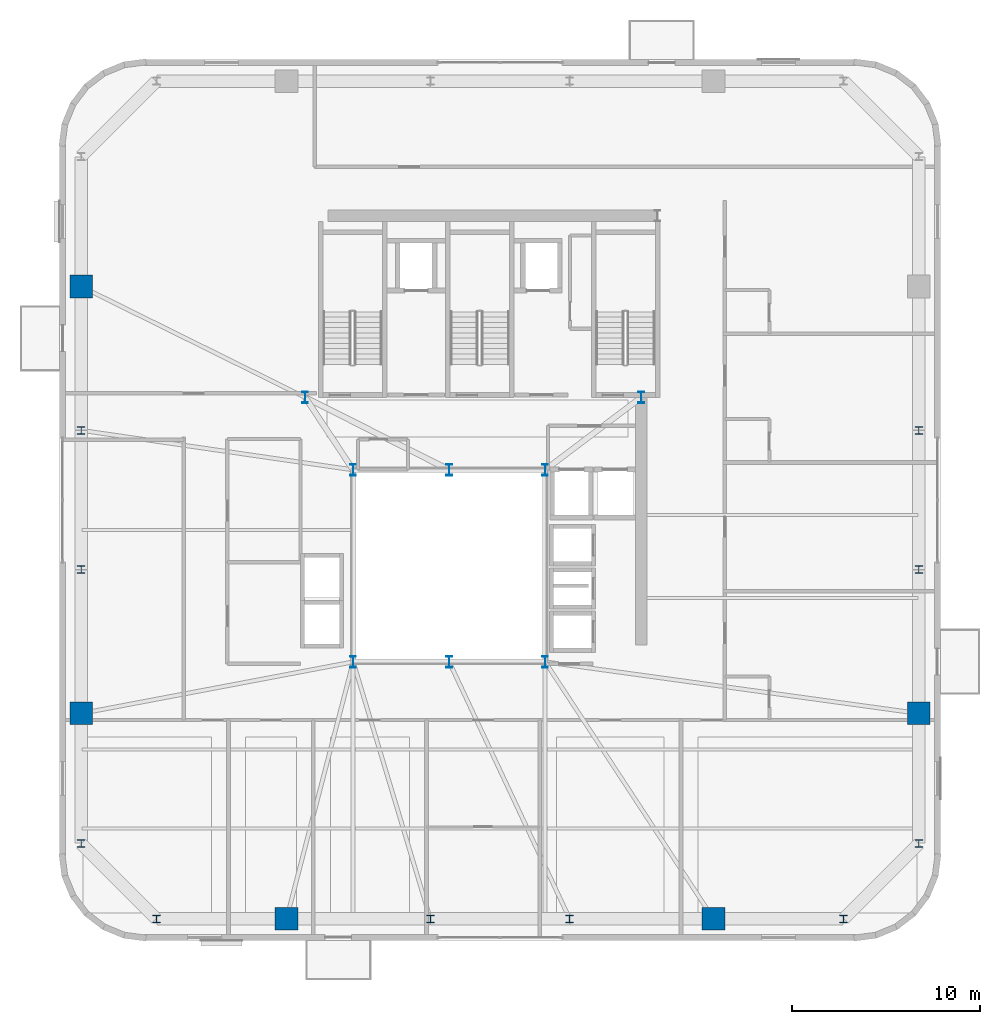
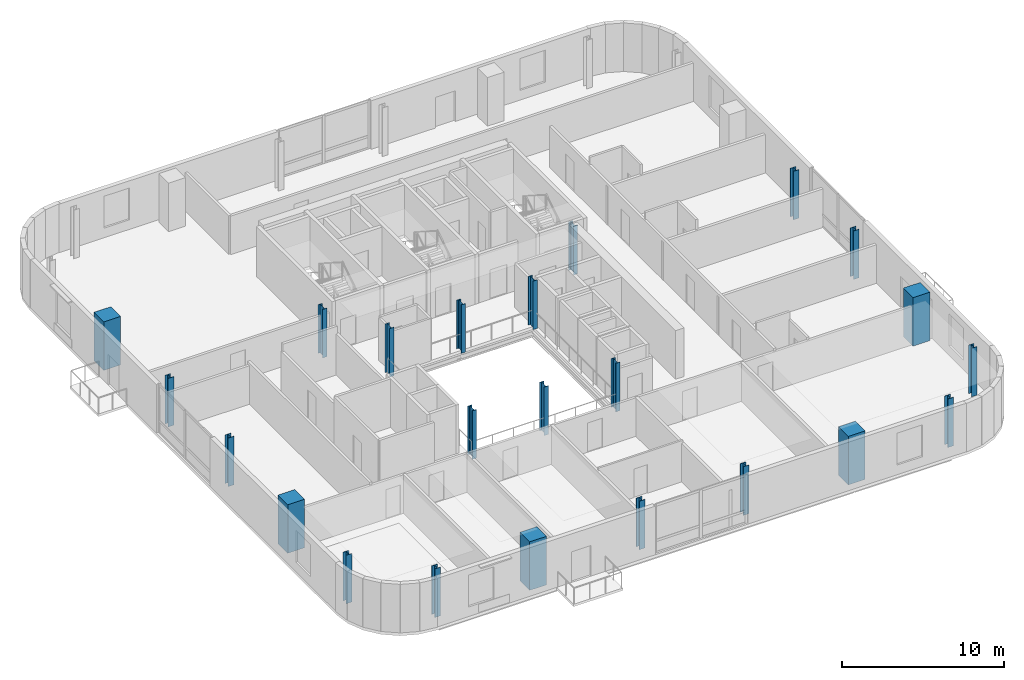
# One storey, part 1 of 15: 23 columns.
"""IFC4 building model written with IfcOpenShell, lengths in metres."""

from ifc_helpers import new_model, si_unit, direction, frame, origin, origin_2d, place, context, subcontext, project, spatial, rectangle, i_section, extrude, source, transform, mapped, material, material_profile, profile_set, type_object, element, save


model = new_model("IFC4")

# Units and contexts
model_context = context("Model", 3, precision=1e-05, world=origin(), true_north=direction((0.0, 1.0)))
body_context = subcontext(model_context, "Body", "Model", "MODEL_VIEW")
ifc_project = project(units=[si_unit("LENGTHUNIT", "METRE"), si_unit("AREAUNIT", "SQUARE_METRE"), si_unit("VOLUMEUNIT", "CUBIC_METRE"), si_unit("PLANEANGLEUNIT", "RADIAN"), si_unit("MASSUNIT", "GRAM", prefix="KILO")], contexts=[model_context])

# Site, building, storey
site_placement = place(None, origin())
site = spatial("IfcSite", under=ifc_project, at=site_placement, CompositionType="ELEMENT")
building_placement = place(site_placement, origin())
building = spatial("IfcBuilding", under=site, at=building_placement, Name="Vardaveli Station Tower", CompositionType="ELEMENT")
storey_placement = place(building_placement, frame((0.0, 0.0, 250.60009765625)))
storey = spatial("IfcBuildingStorey", under=building, at=storey_placement, Name="L64", CompositionType="ELEMENT", Elevation=250.60009765625)

# Columns
ifc_material_1 = material(Name="Structural steel S460M", Category="steel")
ifc_material_profile_1 = material_profile(ifc_material_1, i_section(OverallWidth=0.300048828125, OverallDepth=0.60009765625, WebThickness=0.015380859375, FlangeThickness=0.030029296875, FilletRadius=0.027099609375, at=origin_2d()), Name="HEB 600")
ifc_profile_set_1 = profile_set([ifc_material_profile_1], Name="Structural steel S460M")
column_type_1 = type_object("IfcColumnType", Name="COL-HEB600", PredefinedType="COLUMN", material=ifc_profile_set_1)
shared_shape_1 = source(origin(), body_context, "Body", "SweptSolid", [
    extrude(i_section(OverallWidth=0.300048828125, OverallDepth=0.60009765625, WebThickness=0.015380859375, FlangeThickness=0.030029296875, FilletRadius=0.027099609375, at=origin_2d()), origin(), (0.0, 0.0, 1.0), 3.64990234375),
])
for number, where, z_axis, x_axis, name in (
    (1, (31.199951171875, 16.60009765625, 0.0), (0.0, 0.0, 1.0), (1.0, 0.0, 0.0), "COL-L64-AC1"),
    (2, (36.300048828125, 16.60009765625, 0.0), (0.0, 0.0, 1.0), (1.0, 0.0, 0.0), "COL-L64-AC2"),
    (3, (41.39990234375, 16.60009765625, 0.0), (0.0, 0.0, 1.0), (1.0, 0.0, 0.0), "COL-L64-AC3"),
    (4, (41.39990234375, 26.800048828125, 0.0), (0.0, 0.0, 1.0), (1.0, 0.0, 0.0), "COL-L64-AC4"),
    (5, (36.300048828125, 26.800048828125, 0.0), (0.0, 0.0, 1.0), (1.0, 0.0, 0.0), "COL-L64-AC5"),
    (6, (31.199951171875, 26.800048828125, 0.0), (0.0, 0.0, 1.0), (1.0, 0.0, 0.0), "COL-L64-AC6"),
    (7, (28.64990234375, 30.64990234375, 0.0), (0.0, 0.0, 1.0), (1.0, 0.0, 0.0), "COL-L64-CC1"),
    (8, (46.5, 30.64990234375, 0.0), (0.0, 0.0, 1.0), (1.0, 0.0, 0.0), "COL-L64-CC2"),
):
    element("IfcColumn", number, at=place(storey_placement, frame(where, z_axis=z_axis, x_axis=x_axis)), inside=storey, type_object=column_type_1, Name=name, PredefinedType="COLUMN", context=body_context, shape_type="MappedRepresentation", body=[
        mapped(shared_shape_1, transform((0.0, 0.0, 0.0), scale=1.0)),
    ])
ifc_material_2 = material(Name="Concrete C50/60", Category="concrete")
ifc_material_profile_2 = material_profile(ifc_material_2, rectangle(XDim=1.199951171875, YDim=1.199951171875, at=origin_2d()), Name="MC 1200x1200")
ifc_profile_set_2 = profile_set([ifc_material_profile_2], Name="Concrete C50/60")
column_type_2 = type_object("IfcColumnType", Name="COL-MC-1200", PredefinedType="COLUMN", material=ifc_profile_set_2)
shared_shape_2 = source(origin(), body_context, "Body", "SweptSolid", [
    extrude(rectangle(XDim=1.199951171875, YDim=1.199951171875, at=origin_2d()), origin(), (0.0, 0.0, 1.0), 3.64990234375),
])
for number, where, z_axis, x_axis, name in (
    (9, (27.659912109375, 2.949951171875, 0.0), (0.0, 0.0, 1.0), (1.0, 0.0, 0.0), "COL-L64-MC1"),
    (10, (50.340087890625, 2.949951171875, 0.0), (0.0, 0.0, 1.0), (1.0, 0.0, 0.0), "COL-L64-MC2"),
    (11, (61.25, 13.860107421875, 0.0), (0.0, 0.0, 1.0), (1.0, 0.0, 0.0), "COL-L64-MC3"),
    (12, (16.75, 36.5400390625, 0.0), (0.0, 0.0, 1.0), (1.0, 0.0, 0.0), "COL-L64-MC7"),
    (13, (16.75, 13.860107421875, 0.0), (0.0, 0.0, 1.0), (1.0, 0.0, 0.0), "COL-L64-MC8"),
):
    element("IfcColumn", number, at=place(storey_placement, frame(where, z_axis=z_axis, x_axis=x_axis)), inside=storey, type_object=column_type_2, Name=name, PredefinedType="COLUMN", context=body_context, shape_type="MappedRepresentation", body=[
        mapped(shared_shape_2, transform((0.0, 0.0, 0.0), scale=1.0)),
    ])
ifc_material_profile_3 = material_profile(ifc_material_1, i_section(OverallWidth=0.405029296875, OverallDepth=0.403076171875, WebThickness=0.017822265625, FlangeThickness=0.02783203125, FilletRadius=0.014892578125, at=origin_2d()), Name="HD 400x287")
ifc_profile_set_3 = profile_set([ifc_material_profile_3], Name="Structural steel S460M")
column_type_3 = type_object("IfcColumnType", Name="COL-HD287", PredefinedType="COLUMN", material=ifc_profile_set_3)
shared_shape_3 = source(origin(), body_context, "Body", "SweptSolid", [
    extrude(i_section(OverallWidth=0.405029296875, OverallDepth=0.403076171875, WebThickness=0.017822265625, FlangeThickness=0.02783203125, FilletRadius=0.014892578125, at=origin_2d()), origin(), (0.0, 0.0, 1.0), 3.64990234375),
])
for number, where, z_axis, x_axis, name in (
    (14, (20.75, 2.949951171875, 0.0), (0.0, 0.0, 1.0), (1.0, 0.0, 0.0), "COL-L64-PC01"),
    (15, (35.300048828125, 2.949951171875, 0.0), (0.0, 0.0, 1.0), (1.0, 0.0, 0.0), "COL-L64-PC02"),
    (16, (42.699951171875, 2.949951171875, 0.0), (0.0, 0.0, 1.0), (1.0, 0.0, 0.0), "COL-L64-PC03"),
    (17, (57.25, 2.949951171875, 0.0), (0.0, 0.0, 1.0), (1.0, 0.0, 0.0), "COL-L64-PC04"),
    (18, (61.25, 6.949951171875, 0.0), (0.0, 0.0, 1.0), (1.0, 0.0, 0.0), "COL-L64-PC05"),
    (19, (61.25, 21.5, 0.0), (0.0, 0.0, 1.0), (1.0, 0.0, 0.0), "COL-L64-PC06"),
    (20, (61.25, 28.89990234375, 0.0), (0.0, 0.0, 1.0), (1.0, 0.0, 0.0), "COL-L64-PC07"),
    (21, (16.75, 28.89990234375, 0.0), (0.0, 0.0, 1.0), (1.0, 0.0, 0.0), "COL-L64-PC14"),
    (22, (16.75, 21.5, 0.0), (0.0, 0.0, 1.0), (1.0, 0.0, 0.0), "COL-L64-PC15"),
    (23, (16.75, 6.949951171875, 0.0), (0.0, 0.0, 1.0), (1.0, 0.0, 0.0), "COL-L64-PC16"),
):
    element("IfcColumn", number, at=place(storey_placement, frame(where, z_axis=z_axis, x_axis=x_axis)), inside=storey, type_object=column_type_3, Name=name, PredefinedType="COLUMN", context=body_context, shape_type="MappedRepresentation", body=[
        mapped(shared_shape_3, transform((0.0, 0.0, 0.0), scale=1.0)),
    ])

save(model, "model.ifc")
